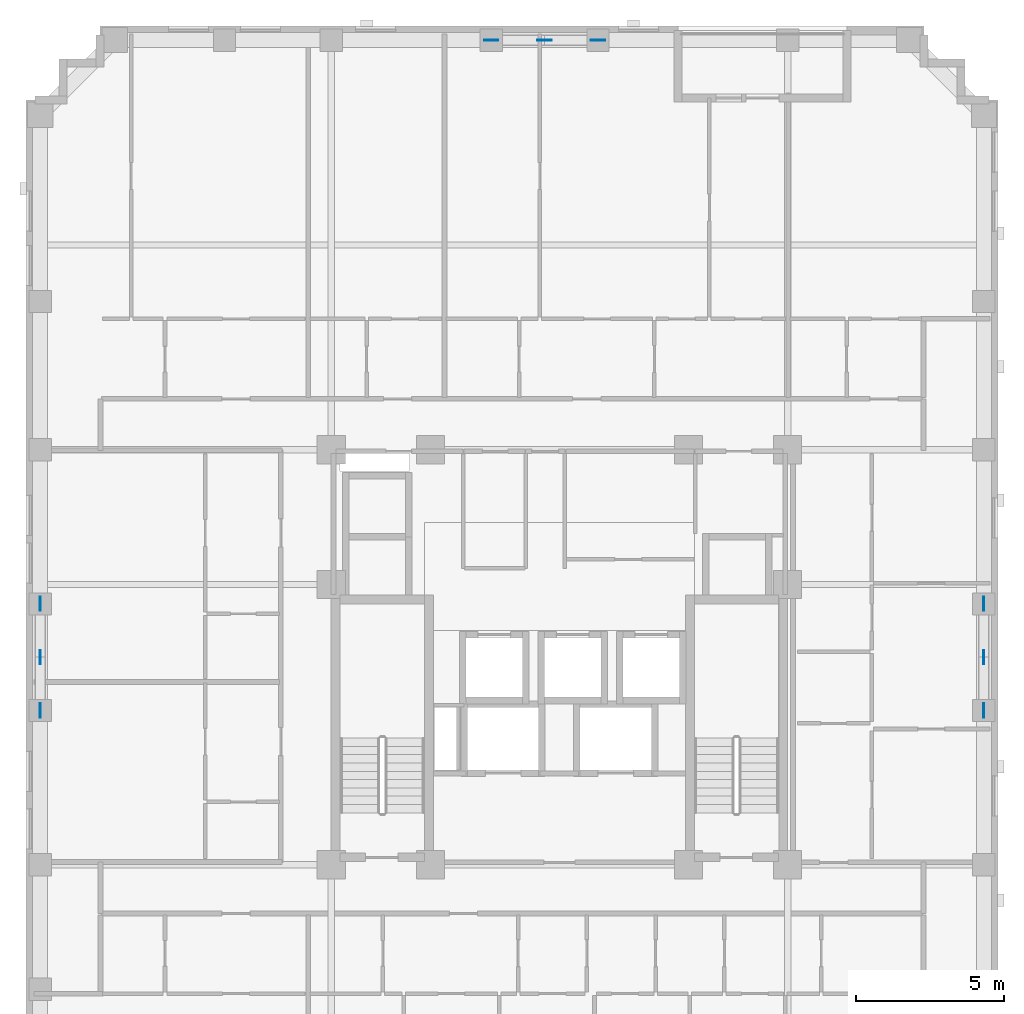
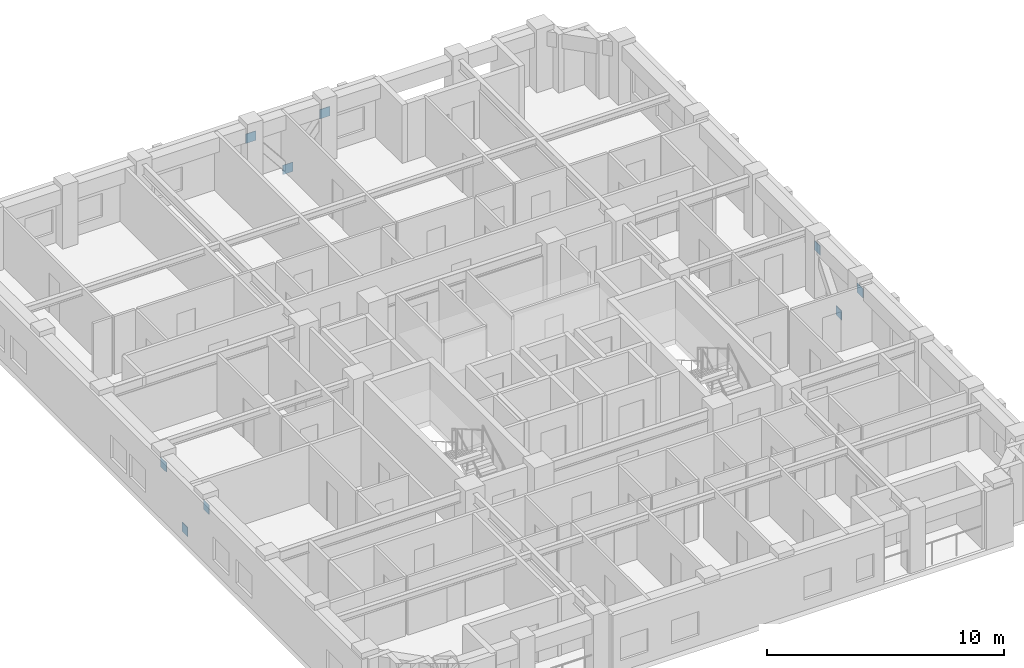
# One storey, part 9 of 11: 9 discrete accessories.
"""IFC4 building model written with IfcOpenShell, lengths in metres."""

from ifc_helpers import new_model, si_unit, derived_unit, direction, frame, origin, origin_2d, place, context, subcontext, project, spatial, rectangle, extrude, material, layer, layer_set, type_object, element, save


model = new_model("IFC4")

# Units and contexts
model_context = context("Model", 3, precision=1e-05, world=origin(), true_north=direction((0.0, 1.0)))
body_context = subcontext(model_context, "Body", "Model", "MODEL_VIEW")
ifc_project = project(units=[si_unit("LENGTHUNIT", "METRE"), si_unit("AREAUNIT", "SQUARE_METRE"), si_unit("VOLUMEUNIT", "CUBIC_METRE"), si_unit("PLANEANGLEUNIT", "RADIAN"), si_unit("MASSUNIT", "GRAM", prefix="KILO"), derived_unit("THERMALTRANSMITTANCEUNIT", [(si_unit("MASSUNIT", "GRAM", prefix="KILO"), 1), (si_unit("TIMEUNIT", "SECOND"), -3), (si_unit("THERMODYNAMICTEMPERATUREUNIT", "KELVIN"), -1)])], contexts=[model_context])

# Site, building, storey
site_placement = place(None, origin())
site = spatial("IfcSite", under=ifc_project, at=site_placement, CompositionType="ELEMENT")
building_placement = place(site_placement, origin())
building = spatial("IfcBuilding", under=site, at=building_placement, Name="Korrvale Station Residences", CompositionType="ELEMENT")
storey_placement = place(building_placement, frame((0.0, 0.0, 143.89990234375)))
storey = spatial("IfcBuildingStorey", under=building, at=storey_placement, Name="L41", CompositionType="ELEMENT", Elevation=143.89990234375)

# Discrete accessories
ifc_material = material(Name="Steel S355", Category="steel")
ifc_layer = layer(ifc_material, 0.02490234375, Name="Steel S355")
ifc_layer_set = layer_set([ifc_layer], Name="Steel S355")
discrete_accessory_type = type_object("IfcDiscreteAccessoryType", Name="ACC-GUSSET-25", PredefinedType="BRACKET", material=ifc_layer_set)
for number, where, z_axis, x_axis, name in (
    (1, (25.0, 42.820068359375, -0.219970703125), (0.0, 0.0, 1.0), (1.0, 0.0, 0.0), "L41 N Brace End Gusset Connection M"),
    (2, (23.199951171875, 42.820068359375, 2.02001953125), (0.0, 0.0, 1.0), (1.0, 0.0, 0.0), "L41 N Brace End Gusset Connection A"),
    (3, (26.800048828125, 42.820068359375, 2.02001953125), (0.0, 0.0, 1.0), (1.0, 0.0, 0.0), "L41 N Brace End Gusset Connection B"),
    (4, (7.97998046875, 22.0, -0.219970703125), (0.0, 0.0, 1.0), (0.0, 1.0, 0.0), "L41 W Brace End Gusset Connection M"),
    (5, (7.97998046875, 20.199951171875, 2.02001953125), (0.0, 0.0, 1.0), (0.0, 1.0, 0.0), "L41 W Brace End Gusset Connection A"),
    (6, (7.97998046875, 23.800048828125, 2.02001953125), (0.0, 0.0, 1.0), (0.0, 1.0, 0.0), "L41 W Brace End Gusset Connection B"),
    (7, (39.820068359375, 22.0, -0.219970703125), (0.0, 0.0, 1.0), (0.0, 1.0, 0.0), "L41 E Brace End Gusset Connection M"),
    (8, (39.820068359375, 20.199951171875, 2.02001953125), (0.0, 0.0, 1.0), (0.0, 1.0, 0.0), "L41 E Brace End Gusset Connection A"),
    (9, (39.820068359375, 23.800048828125, 2.02001953125), (0.0, 0.0, 1.0), (0.0, 1.0, 0.0), "L41 E Brace End Gusset Connection B"),
):
    element("IfcDiscreteAccessory", number, at=place(storey_placement, frame(where, z_axis=z_axis, x_axis=x_axis)), inside=storey, type_object=discrete_accessory_type, Name=name, PredefinedType="BRACKET", context=body_context, shape_type="SweptSolid", body=[
        extrude(rectangle(XDim=0.47998046875, YDim=0.02490234375, at=origin_2d()), origin(), (0.0, 0.0, 1.0), 0.47998046875),
    ])

save(model, "model.ifc")
